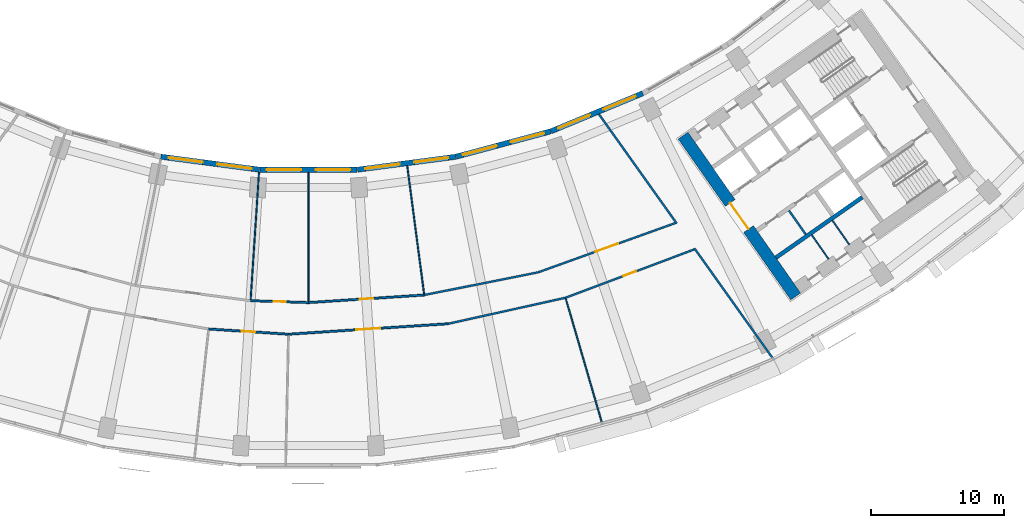
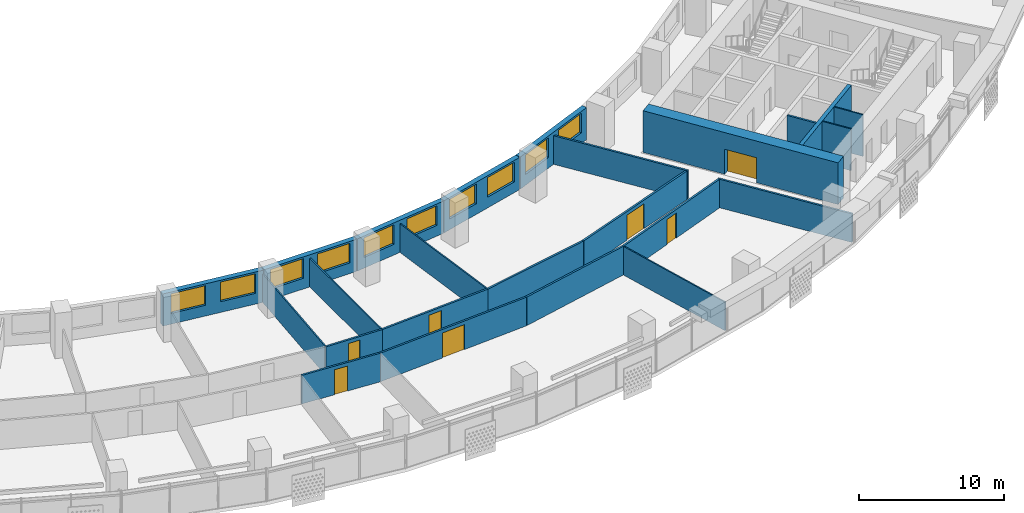
# One storey, part 6 of 29: 24 walls, 10 windows, 7 doors, 17 openings.
"""IFC4 building model written with IfcOpenShell, lengths in metres."""

from ifc_helpers import new_model, si_unit, direction, frame, frame_2d, origin, place, context, subcontext, project, spatial, rectangle, extrude, material, layer, layer_set, type_object, element, fill, save


model = new_model("IFC4")

# Units and contexts
model_context = context("Model", 3, precision=1e-05, world=origin(), true_north=direction((0.0, 1.0)))
body_context = subcontext(model_context, "Body", "Model", "MODEL_VIEW")
ifc_project = project(units=[si_unit("LENGTHUNIT", "METRE"), si_unit("AREAUNIT", "SQUARE_METRE"), si_unit("VOLUMEUNIT", "CUBIC_METRE"), si_unit("PLANEANGLEUNIT", "RADIAN"), si_unit("MASSUNIT", "GRAM", prefix="KILO")], contexts=[model_context])

# Site, building, storey
site_placement = place(None, origin())
site = spatial("IfcSite", under=ifc_project, at=site_placement, CompositionType="ELEMENT")
building_placement = place(site_placement, origin())
building = spatial("IfcBuilding", under=site, at=building_placement, Name="Qamariyya Broadcast Tower", CompositionType="ELEMENT")
storey_placement = place(building_placement, frame((0.0, 0.0, 121.5)))
storey = spatial("IfcBuildingStorey", under=building, at=storey_placement, Name="L27", CompositionType="ELEMENT", Elevation=121.5)

# Wall, opening, door
ifc_material_1 = material(Name="Concrete C70/85", Category="concrete")
ifc_layer_1 = layer(ifc_material_1, 0.89990234375)
ifc_layer_set_1 = layer_set([ifc_layer_1], Name="Core wall 900 mm Concrete C70/85")
wall_type_1 = type_object("IfcWallType", Name="Core wall 900 mm Concrete C70/85", PredefinedType="SHEAR", material=ifc_layer_set_1)
wall_1_placement = place(storey_placement, frame((36.716796875, -66.3369140625, 0.0), z_axis=(0.0, 0.0, 1.0), x_axis=(-0.573577477574, 0.819151315216, 0.0)))
wall_1 = element("IfcWall", 1, at=wall_1_placement, inside=storey, type_object=wall_type_1, Name="k-E-L27-WA", PredefinedType="SHEAR", context=body_context, shape_type="SweptSolid", body=[
    extrude(rectangle(XDim=14.800048828125, YDim=0.89990234375, at=frame_2d((7.39990234375, 0.0))), origin(), (0.0, 0.0, 1.0), 3.5),
])
opening_1_placement = place(wall_1_placement, frame((6.199951171875, 0.0, 0.0)))
opening_1 = element("IfcOpeningElement", 2, at=opening_1_placement, cuts=wall_1, Name="Opening KD3-E1", PredefinedType="OPENING", context=body_context, shape_type="SweptSolid", body=[
    extrude(rectangle(XDim=2.39990234375, YDim=2.10009765625, at=frame_2d((1.199951171875, 1.050048828125))), frame((0.0, 0.4599609375, 0.0), z_axis=(0.0, -1.0, 0.0), x_axis=(1.0, 0.0, 0.0)), (0.0, 0.0, 1.0), 0.919921875),
])
ifc_material_2 = material(Name="Steel fire-resisting door leaf", Category="steel")
door_type_1 = type_object("IfcDoorType", Name="Lift lobby door KD3", OperationType="DOUBLE_DOOR_SINGLE_SWING", PredefinedType="DOOR", material=ifc_material_2)
door_1_placement = place(opening_1_placement, origin())
door_1 = element("IfcDoor", 3, at=door_1_placement, inside=storey, type_object=door_type_1, Name="k-E-L27-WA-D1", OperationType="DOUBLE_DOOR_SINGLE_SWING", OverallHeight=2.10009765625, OverallWidth=2.39990234375, PredefinedType="DOOR", context=body_context, shape_type="SweptSolid", body=[
    extrude(rectangle(XDim=2.39990234375, YDim=2.10009765625, at=frame_2d((1.199951171875, 1.050048828125))), frame((0.0, 0.02490234375, 0.0), z_axis=(0.0, -1.0, 0.0), x_axis=(1.0, 0.0, 0.0)), (0.0, 0.0, 1.0), 0.050048828125),
])
fill(opening_1, door_1)

ifc_material_3 = material(Name="Gypsum board partition")
ifc_layer_2 = layer(ifc_material_3, 0.14990234375)
ifc_layer_set_2 = layer_set([ifc_layer_2], Name="Corridor partition 150 EI 60")
wall_type_2 = type_object("IfcWallType", Name="Corridor partition 150 EI 60", PredefinedType="PARTITIONING", material=ifc_layer_set_2)
wall_2_placement = place(storey_placement, frame((-1.511474609375, -69.18359375, 0.0), z_axis=(0.0, 0.0, 1.0), x_axis=(-0.997856905736, 0.065433903101, 0.0)))
wall_2 = element("IfcWall", 4, at=wall_2_placement, inside=storey, type_object=wall_type_2, Name="Partition L27-021", PredefinedType="PARTITIONING", context=body_context, shape_type="SweptSolid", body=[
    extrude(rectangle(XDim=6.033203125, YDim=0.14990234375, at=frame_2d((3.0166015625, 0.0))), origin(), (0.0, 0.0, 1.0), 2.39990234375),
])
opening_2_placement = place(wall_2_placement, frame((2.5166015625, 0.0, 0.0)))
opening_2 = element("IfcOpeningElement", 5, at=opening_2_placement, cuts=wall_2, Name="Opening L27-D04", PredefinedType="OPENING", context=body_context, shape_type="SweptSolid", body=[
    extrude(rectangle(XDim=1.0, YDim=2.10009765625, at=frame_2d((0.5, 1.050048828125))), frame((0.0, 0.0849609375, 0.0), z_axis=(0.0, -1.0, 0.0), x_axis=(1.0, 0.0, 0.0)), (0.0, 0.0, 1.0), 0.169921875),
])
ifc_material_4 = material(Name="Timber fire door leaf", Category="wood")
door_type_2 = type_object("IfcDoorType", Name="Fire door 1000 x 2100 FD60", OperationType="NOTDEFINED", PredefinedType="DOOR", material=ifc_material_4)
door_2_placement = place(opening_2_placement, origin())
door_2 = element("IfcDoor", 6, at=door_2_placement, inside=storey, type_object=door_type_2, Name="Door L27-D04", OperationType="SINGLE_SWING_RIGHT", OverallHeight=2.10009765625, OverallWidth=1.0, PredefinedType="DOOR", context=body_context, shape_type="SweptSolid", body=[
    extrude(rectangle(XDim=1.0, YDim=2.10009765625, at=frame_2d((0.5, 1.050048828125))), frame((0.0, 0.02490234375, 0.0), z_axis=(0.0, -1.0, 0.0), x_axis=(1.0, 0.0, 0.0)), (0.0, 0.0, 1.0), 0.050048828125),
])
fill(opening_2, door_2)

wall_3_placement = place(storey_placement, frame((-4.368896484375, -66.656982421875, 0.0), z_axis=(0.0, 0.0, 1.0), x_axis=(0.99946426167, -0.03272903366, 0.0)))
wall_3 = element("IfcWall", 7, at=wall_3_placement, inside=storey, type_object=wall_type_2, Name="Partition L27-022", PredefinedType="PARTITIONING", context=body_context, shape_type="SweptSolid", body=[
    extrude(rectangle(XDim=4.371337890625, YDim=0.14990234375, at=frame_2d((2.185546875, 0.0))), origin(), (0.0, 0.0, 1.0), 2.39990234375),
])
opening_3_placement = place(wall_3_placement, frame((1.735595703125, 0.0, 0.0)))
opening_3 = element("IfcOpeningElement", 8, at=opening_3_placement, cuts=wall_3, Name="Opening L27-D10", PredefinedType="OPENING", context=body_context, shape_type="SweptSolid", body=[
    extrude(rectangle(XDim=0.89990234375, YDim=2.10009765625, at=frame_2d((0.449951171875, 1.050048828125))), frame((0.0, 0.0849609375, 0.0), z_axis=(0.0, -1.0, 0.0), x_axis=(1.0, 0.0, 0.0)), (0.0, 0.0, 1.0), 0.169921875),
])
door_type_3 = type_object("IfcDoorType", Name="Fire door 900 x 2100 FD60", OperationType="NOTDEFINED", PredefinedType="DOOR", material=ifc_material_4)
door_3_placement = place(opening_3_placement, origin())
door_3 = element("IfcDoor", 9, at=door_3_placement, inside=storey, type_object=door_type_3, Name="Door L27-D10", OperationType="SINGLE_SWING_RIGHT", OverallHeight=2.10009765625, OverallWidth=0.89990234375, PredefinedType="DOOR", context=body_context, shape_type="SweptSolid", body=[
    extrude(rectangle(XDim=0.89990234375, YDim=2.10009765625, at=frame_2d((0.449951171875, 1.050048828125))), frame((0.0, 0.02490234375, 0.0), z_axis=(0.0, -1.0, 0.0), x_axis=(1.0, 0.0, 0.0)), (0.0, 0.0, 1.0), 0.050048828125),
])
fill(opening_3, door_3)

wall_4_placement = place(storey_placement, frame((10.52001953125, -68.394775390625, 0.0), z_axis=(0.0, 0.0, 1.0), x_axis=(-0.997857664211, -0.065422335445, 0.0)))
wall_4 = element("IfcWall", 10, at=wall_4_placement, inside=storey, type_object=wall_type_2, Name="Partition L27-025", PredefinedType="PARTITIONING", context=body_context, shape_type="SweptSolid", body=[
    extrude(rectangle(XDim=12.057373046875, YDim=0.14990234375, at=frame_2d((6.02880859375, 0.0))), origin(), (0.0, 0.0, 1.0), 2.39990234375),
])
opening_4_placement = place(wall_4_placement, frame((5.128662109375, 0.0, 0.0)))
opening_4 = element("IfcOpeningElement", 11, at=opening_4_placement, cuts=wall_4, Name="Opening L27-D05", PredefinedType="OPENING", context=body_context, shape_type="SweptSolid", body=[
    extrude(rectangle(XDim=1.800048828125, YDim=2.10009765625, at=frame_2d((0.89990234375, 1.050048828125))), frame((0.0, 0.0849609375, 0.0), z_axis=(0.0, -1.0, 0.0), x_axis=(1.0, 0.0, 0.0)), (0.0, 0.0, 1.0), 0.169921875),
])
door_type_4 = type_object("IfcDoorType", Name="Double fire door 1800 x 2100 FD60", OperationType="NOTDEFINED", PredefinedType="DOOR", material=ifc_material_4)
door_4_placement = place(opening_4_placement, origin())
door_4 = element("IfcDoor", 12, at=door_4_placement, inside=storey, type_object=door_type_4, Name="Door L27-D05", OperationType="DOUBLE_DOOR_SINGLE_SWING", OverallHeight=2.10009765625, OverallWidth=1.800048828125, PredefinedType="DOOR", context=body_context, shape_type="SweptSolid", body=[
    extrude(rectangle(XDim=1.800048828125, YDim=2.10009765625, at=frame_2d((0.89990234375, 1.050048828125))), frame((0.0, 0.02490234375, 0.0), z_axis=(0.0, -1.0, 0.0), x_axis=(1.0, 0.0, 0.0)), (0.0, 0.0, 1.0), 0.050048828125),
])
fill(opening_4, door_4)

wall_5_placement = place(storey_placement, frame((0.0, -66.800048828125, 0.0), z_axis=(0.0, 0.0, 1.0), x_axis=(0.997858593599, 0.065408158359, 0.0)))
wall_5 = element("IfcWall", 13, at=wall_5_placement, inside=storey, type_object=wall_type_2, Name="Partition L27-026", PredefinedType="PARTITIONING", context=body_context, shape_type="SweptSolid", body=[
    extrude(rectangle(XDim=8.738037109375, YDim=0.14990234375, at=frame_2d((4.369140625, 0.0))), origin(), (0.0, 0.0, 1.0), 2.39990234375),
])
opening_5_placement = place(wall_5_placement, frame((3.868896484375, 0.0, 0.0)))
opening_5 = element("IfcOpeningElement", 14, at=opening_5_placement, cuts=wall_5, Name="Opening L27-D11", PredefinedType="OPENING", context=body_context, shape_type="SweptSolid", body=[
    extrude(rectangle(XDim=1.0, YDim=2.10009765625, at=frame_2d((0.5, 1.050048828125))), frame((0.0, 0.0849609375, 0.0), z_axis=(0.0, -1.0, 0.0), x_axis=(1.0, 0.0, 0.0)), (0.0, 0.0, 1.0), 0.169921875),
])
door_5_placement = place(opening_5_placement, origin())
door_5 = element("IfcDoor", 15, at=door_5_placement, inside=storey, type_object=door_type_2, Name="Door L27-D11", OperationType="SINGLE_SWING_RIGHT", OverallHeight=2.10009765625, OverallWidth=1.0, PredefinedType="DOOR", context=body_context, shape_type="SweptSolid", body=[
    extrude(rectangle(XDim=1.0, YDim=2.10009765625, at=frame_2d((0.5, 1.050048828125))), frame((0.0, 0.02490234375, 0.0), z_axis=(0.0, -1.0, 0.0), x_axis=(1.0, 0.0, 0.0)), (0.0, 0.0, 1.0), 0.050048828125),
])
fill(opening_5, door_5)

# Walls
wall_6_placement = place(storey_placement, frame((8.71923828125, -66.228515625, 0.0), z_axis=(0.0, 0.0, 1.0), x_axis=(0.980787736115, 0.195077975915, 0.0)))
element("IfcWall", 16, at=wall_6_placement, inside=storey, type_object=wall_type_2, Name="Partition L27-029", PredefinedType="PARTITIONING", context=body_context, shape_type="SweptSolid", body=[
    extrude(rectangle(XDim=8.729248046875, YDim=0.14990234375, at=frame_2d((4.36474609375, 0.0))), origin(), (0.0, 0.0, 1.0), 2.39990234375),
])
wall_7_placement = place(storey_placement, frame((10.537353515625, -68.392333984375, 0.0), z_axis=(0.0, 0.0, 1.0), x_axis=(0.97628985912, 0.216467343909, 0.0)))
element("IfcWall", 17, at=wall_7_placement, inside=storey, type_object=wall_type_2, Name="Partition L27-030", PredefinedType="PARTITIONING", context=body_context, shape_type="SweptSolid", body=[
    extrude(rectangle(XDim=9.04296875, YDim=0.14990234375, at=frame_2d((4.521484375, 0.0))), origin(), (0.0, 0.0, 1.0), 2.39990234375),
])

# Wall, opening, door
wall_8_placement = place(storey_placement, frame((17.297119140625, -64.52099609375, 0.0), z_axis=(0.0, 0.0, 1.0), x_axis=(0.941151914592, 0.337983836389, 0.0)))
wall_8 = element("IfcWall", 18, at=wall_8_placement, inside=storey, type_object=wall_type_2, Name="Partition L27-031", PredefinedType="PARTITIONING", context=body_context, shape_type="SweptSolid", body=[
    extrude(rectangle(XDim=10.98974609375, YDim=0.14990234375, at=frame_2d((5.494873046875, 0.0))), origin(), (0.0, 0.0, 1.0), 2.39990234375),
])
opening_6_placement = place(wall_8_placement, frame((4.5947265625, 0.0, 0.0)))
opening_6 = element("IfcOpeningElement", 19, at=opening_6_placement, cuts=wall_8, Name="Opening L27-D12", PredefinedType="OPENING", context=body_context, shape_type="SweptSolid", body=[
    extrude(rectangle(XDim=1.800048828125, YDim=2.10009765625, at=frame_2d((0.89990234375, 1.050048828125))), frame((0.0, 0.0849609375, 0.0), z_axis=(0.0, -1.0, 0.0), x_axis=(1.0, 0.0, 0.0)), (0.0, 0.0, 1.0), 0.169921875),
])
door_6_placement = place(opening_6_placement, origin())
door_6 = element("IfcDoor", 20, at=door_6_placement, inside=storey, type_object=door_type_4, Name="Door L27-D12", OperationType="DOUBLE_DOOR_SINGLE_SWING", OverallHeight=2.10009765625, OverallWidth=1.800048828125, PredefinedType="DOOR", context=body_context, shape_type="SweptSolid", body=[
    extrude(rectangle(XDim=1.800048828125, YDim=2.10009765625, at=frame_2d((0.89990234375, 1.050048828125))), frame((0.0, 0.02490234375, 0.0), z_axis=(0.0, -1.0, 0.0), x_axis=(1.0, 0.0, 0.0)), (0.0, 0.0, 1.0), 0.050048828125),
])
fill(opening_6, door_6)

wall_9_placement = place(storey_placement, frame((29.057373046875, -62.797607421875, 0.0), z_axis=(0.0, 0.0, 1.0), x_axis=(-0.936236096431, -0.351371557956, 0.0)))
wall_9 = element("IfcWall", 21, at=wall_9_placement, inside=storey, type_object=wall_type_2, Name="Partition L27-032", PredefinedType="PARTITIONING", context=body_context, shape_type="SweptSolid", body=[
    extrude(rectangle(XDim=10.3515625, YDim=0.14990234375, at=frame_2d((5.17578125, 0.0))), origin(), (0.0, 0.0, 1.0), 2.39990234375),
])
opening_7_placement = place(wall_9_placement, frame((4.67578125, 0.0, 0.0)))
opening_7 = element("IfcOpeningElement", 22, at=opening_7_placement, cuts=wall_9, Name="Opening L27-D06", PredefinedType="OPENING", context=body_context, shape_type="SweptSolid", body=[
    extrude(rectangle(XDim=1.0, YDim=2.10009765625, at=frame_2d((0.5, 1.050048828125))), frame((0.0, 0.0849609375, 0.0), z_axis=(0.0, -1.0, 0.0), x_axis=(1.0, 0.0, 0.0)), (0.0, 0.0, 1.0), 0.169921875),
])
door_7_placement = place(opening_7_placement, origin())
door_7 = element("IfcDoor", 23, at=door_7_placement, inside=storey, type_object=door_type_2, Name="Door L27-D06", OperationType="SINGLE_SWING_RIGHT", OverallHeight=2.10009765625, OverallWidth=1.0, PredefinedType="DOOR", context=body_context, shape_type="SweptSolid", body=[
    extrude(rectangle(XDim=1.0, YDim=2.10009765625, at=frame_2d((0.5, 1.050048828125))), frame((0.0, 0.02490234375, 0.0), z_axis=(0.0, -1.0, 0.0), x_axis=(1.0, 0.0, 0.0)), (0.0, 0.0, 1.0), 0.050048828125),
])
fill(opening_7, door_7)

# Walls
wall_10_placement = place(storey_placement, frame((21.8837890625, -52.59765625, 0.0), z_axis=(0.0, 0.0, 1.0), x_axis=(0.580016763963, -0.814604538118, 0.0)))
element("IfcWall", 24, at=wall_10_placement, inside=storey, type_object=wall_type_2, Name="Partition L27-033", PredefinedType="PARTITIONING", context=body_context, shape_type="SweptSolid", body=[
    extrude(rectangle(XDim=10.12109375, YDim=0.14990234375, at=frame_2d((5.060546875, 0.0))), origin(), (0.0, 0.0, 1.0), 2.39990234375),
])
wall_11_placement = place(storey_placement, frame((29.083984375, -62.710205078125, 0.0), z_axis=(0.0, 0.0, 1.0), x_axis=(0.580031092611, -0.814594335608, 0.0)))
element("IfcWall", 25, at=wall_11_placement, inside=storey, type_object=wall_type_2, Name="Partition L27-035", PredefinedType="PARTITIONING", context=body_context, shape_type="SweptSolid", body=[
    extrude(rectangle(XDim=10.126220703125, YDim=0.14990234375, at=frame_2d((5.06298828125, 0.0))), origin(), (0.0, 0.0, 1.0), 2.39990234375),
])
ifc_material_5 = material(Name="Gypsum board partition on steel studs", Category="steel")
ifc_layer_3 = layer(ifc_material_5, 0.14990234375)
ifc_layer_set_3 = layer_set([ifc_layer_3], Name="Gypsum board partition 150 mm")
wall_type_3 = type_object("IfcWallType", Name="Gypsum board partition 150 mm", PredefinedType="PARTITIONING", material=ifc_layer_set_3)
wall_12_placement = place(storey_placement, frame((36.2080078125, -59.85693359375, 0.0), z_axis=(0.0, 0.0, 1.0), x_axis=(0.573581496053, -0.819148501424, 0.0)))
element("IfcWall", 26, at=wall_12_placement, inside=storey, type_object=wall_type_3, Name="k-E-L27-SC285", PredefinedType="PARTITIONING", context=body_context, shape_type="SweptSolid", body=[
    extrude(rectangle(XDim=2.2001953125, YDim=0.14990234375, at=frame_2d((1.10009765625, 0.0))), origin(), (0.0, 0.0, 1.0), 3.5),
])
ifc_material_6 = material(Name="Concrete C60/75", Category="concrete")
ifc_layer_4 = layer(ifc_material_6, 0.300048828125)
ifc_layer_set_4 = layer_set([ifc_layer_4], Name="Lift shaft wall 300 mm Concrete C60/75")
wall_type_4 = type_object("IfcWallType", Name="Lift shaft wall 300 mm Concrete C60/75", PredefinedType="SOLIDWALL", material=ifc_layer_set_4)
wall_13_placement = place(storey_placement, frame((35.22119140625, -63.41650390625, 0.0), z_axis=(0.0, 0.0, 1.0), x_axis=(0.819166993208, 0.573555086491, 0.0)))
element("IfcWall", 27, at=wall_13_placement, inside=storey, type_object=wall_type_4, Name="k-E-L27-SB0", PredefinedType="SOLIDWALL", context=body_context, shape_type="SweptSolid", body=[
    extrude(rectangle(XDim=7.9501953125, YDim=0.300048828125, at=frame_2d((3.97509765625, 0.0))), origin(), (0.0, 0.0, 1.0), 3.5),
])
ifc_layer_5 = layer(ifc_material_3, 0.10009765625)
ifc_layer_set_5 = layer_set([ifc_layer_5], Name="Partition 100")
wall_type_5 = type_object("IfcWallType", Name="Partition 100", PredefinedType="PARTITIONING", material=ifc_layer_set_5)
wall_14_placement = place(storey_placement, frame((-3.734619140625, -56.977783203125, 0.0), z_axis=(0.0, 0.0, 1.0), x_axis=(-0.065392665599, -0.997859609006, 0.0)))
element("IfcWall", 28, at=wall_14_placement, inside=storey, type_object=wall_type_5, Name="Partition L27-023", PredefinedType="PARTITIONING", context=body_context, shape_type="SweptSolid", body=[
    extrude(rectangle(XDim=9.624755859375, YDim=0.10009765625, at=frame_2d((4.8125, 0.0))), origin(), (0.0, 0.0, 1.0), 2.39990234375),
])
wall_15_placement = place(storey_placement, frame((0.0, -56.978515625, 0.0), z_axis=(0.0, 0.0, 1.0), x_axis=(0.0, -1.0, 0.0)))
element("IfcWall", 29, at=wall_15_placement, inside=storey, type_object=wall_type_5, Name="Partition L27-027", PredefinedType="PARTITIONING", context=body_context, shape_type="SweptSolid", body=[
    extrude(rectangle(XDim=9.74658203125, YDim=0.10009765625, at=frame_2d((4.873291015625, 0.0))), origin(), (0.0, 0.0, 1.0), 2.39990234375),
])
wall_16_placement = place(storey_placement, frame((7.437255859375, -56.4912109375, 0.0), z_axis=(0.0, 0.0, 1.0), x_axis=(0.13053421433, -0.99144380521, 0.0)))
element("IfcWall", 30, at=wall_16_placement, inside=storey, type_object=wall_type_5, Name="Partition L27-028", PredefinedType="PARTITIONING", context=body_context, shape_type="SweptSolid", body=[
    extrude(rectangle(XDim=9.746337890625, YDim=0.10009765625, at=frame_2d((4.873046875, 0.0))), origin(), (0.0, 0.0, 1.0), 2.39990234375),
])
wall_17_placement = place(storey_placement, frame((22.09423828125, -75.79443359375, 0.0), z_axis=(0.0, 0.0, 1.0), x_axis=(-0.279846881911, 0.960044646194, 0.0)))
element("IfcWall", 31, at=wall_17_placement, inside=storey, type_object=wall_type_5, Name="Partition L27-034", PredefinedType="PARTITIONING", context=body_context, shape_type="SweptSolid", body=[
    extrude(rectangle(XDim=9.674072265625, YDim=0.10009765625, at=frame_2d((4.8369140625, 0.0))), origin(), (0.0, 0.0, 1.0), 2.39990234375),
])
ifc_material_7 = material(Name="Fire-rated gypsum shaft liner on steel studs", Category="steel")
ifc_layer_6 = layer(ifc_material_7, 0.10009765625)
ifc_layer_set_6 = layer_set([ifc_layer_6], Name="Riser wall 100 mm")
wall_type_6 = type_object("IfcWallType", Name="Riser wall 100 mm", PredefinedType="PLUMBINGWALL", material=ifc_layer_set_6)
wall_18_placement = place(storey_placement, frame((37.9287109375, -61.7041015625, 0.0), z_axis=(0.0, 0.0, 1.0), x_axis=(0.573559170999, -0.819164133348, 0.0)))
element("IfcWall", 32, at=wall_18_placement, inside=storey, type_object=wall_type_6, Name="k-E-L27-SP320", PredefinedType="PLUMBINGWALL", context=body_context, shape_type="SweptSolid", body=[
    extrude(rectangle(XDim=2.19970703125, YDim=0.10009765625, at=frame_2d((1.099853515625, 0.0))), origin(), (0.0, 0.0, 1.0), 3.5),
])
wall_19_placement = place(storey_placement, frame((39.485107421875, -60.6142578125, 0.0), z_axis=(0.0, 0.0, 1.0), x_axis=(0.573507030513, -0.819200638399, 0.0)))
element("IfcWall", 33, at=wall_19_placement, inside=storey, type_object=wall_type_6, Name="k-E-L27-SP510", PredefinedType="PLUMBINGWALL", context=body_context, shape_type="SweptSolid", body=[
    extrude(rectangle(XDim=2.199951171875, YDim=0.10009765625, at=frame_2d((1.10009765625, 0.0))), origin(), (0.0, 0.0, 1.0), 3.5),
])

# Wall, openings, windows
ifc_material_8 = material(Name="Terracotta", Category="masonry")
ifc_layer_7 = layer(ifc_material_8, 0.39990234375)
ifc_layer_set_7 = layer_set([ifc_layer_7], Name="Terracotta clad wall 400")
wall_type_7 = type_object("IfcWallType", Name="Terracotta clad wall 400", PredefinedType="SOLIDWALL", material=ifc_layer_set_7)
wall_20_placement = place(storey_placement, frame((11.12548828125, -55.803955078125, 0.0), z_axis=(0.0, 0.0, 1.0), x_axis=(-0.991444533306, -0.130528684121, 0.0)))
wall_20 = element("IfcWall", 34, at=wall_20_placement, inside=storey, type_object=wall_type_7, Name="e-wl-L27-in100", PredefinedType="SOLIDWALL", context=body_context, shape_type="SweptSolid", body=[
    extrude(rectangle(XDim=7.492919921875, YDim=0.39990234375, at=frame_2d((3.74658203125, 0.0))), origin(), (0.0, 0.0, 1.0), 2.699951171875),
])
opening_8_placement = place(wall_20_placement, frame((4.300537109375, 0.0, 0.89990234375)))
opening_8 = element("IfcOpeningElement", 35, at=opening_8_placement, cuts=wall_20, Name="Opening W1", PredefinedType="OPENING", context=body_context, shape_type="SweptSolid", body=[
    extrude(rectangle(XDim=2.60009765625, YDim=1.64990234375, at=frame_2d((1.300048828125, 0.824951171875))), frame((0.0, 0.2099609375, 0.0), z_axis=(0.0, -1.0, 0.0), x_axis=(1.0, 0.0, 0.0)), (0.0, 0.0, 1.0), 0.419921875),
])
opening_9_placement = place(wall_20_placement, frame((0.59228515625, 0.0, 0.89990234375)))
opening_9 = element("IfcOpeningElement", 36, at=opening_9_placement, cuts=wall_20, Name="Opening W1", PredefinedType="OPENING", context=body_context, shape_type="SweptSolid", body=[
    extrude(rectangle(XDim=2.60009765625, YDim=1.64990234375, at=frame_2d((1.300048828125, 0.824951171875))), frame((0.0, 0.2099609375, 0.0), z_axis=(0.0, -1.0, 0.0), x_axis=(1.0, 0.0, 0.0)), (0.0, 0.0, 1.0), 0.419921875),
])
ifc_material_9 = material(Name="Clear low-e double glazed unit in aluminium frame", Category="aluminium")
window_type = type_object("IfcWindowType", Name="Ribbon window 2600 x 1650", PartitioningType="SINGLE_PANEL", PredefinedType="WINDOW", material=ifc_material_9)
window_1_placement = place(opening_8_placement, origin())
window_1 = element("IfcWindow", 37, at=window_1_placement, inside=storey, type_object=window_type, Name="e-w-L27-in10-0", OverallHeight=1.64990234375, OverallWidth=2.60009765625, PartitioningType="SINGLE_PANEL", PredefinedType="WINDOW", context=body_context, shape_type="SweptSolid", body=[
    extrude(rectangle(XDim=2.60009765625, YDim=1.64990234375, at=frame_2d((1.300048828125, 0.824951171875))), frame((0.0, 0.030029296875, 0.0), z_axis=(0.0, -1.0, 0.0), x_axis=(1.0, 0.0, 0.0)), (0.0, 0.0, 1.0), 0.06005859375),
])
fill(opening_8, window_1)
window_2_placement = place(opening_9_placement, origin())
window_2 = element("IfcWindow", 38, at=window_2_placement, inside=storey, type_object=window_type, Name="e-w-L27-in10-1", OverallHeight=1.64990234375, OverallWidth=2.60009765625, PartitioningType="SINGLE_PANEL", PredefinedType="WINDOW", context=body_context, shape_type="SweptSolid", body=[
    extrude(rectangle(XDim=2.60009765625, YDim=1.64990234375, at=frame_2d((1.300048828125, 0.824951171875))), frame((0.0, 0.030029296875, 0.0), z_axis=(0.0, -1.0, 0.0), x_axis=(1.0, 0.0, 0.0)), (0.0, 0.0, 1.0), 0.06005859375),
])
fill(opening_9, window_2)

wall_21_placement = place(storey_placement, frame((18.240966796875, -53.893798828125, 0.0), z_axis=(0.0, 0.0, 1.0), x_axis=(-0.965924597867, -0.258823629594, 0.0)))
wall_21 = element("IfcWall", 39, at=wall_21_placement, inside=storey, type_object=wall_type_7, Name="e-wl-L27-in110", PredefinedType="SOLIDWALL", context=body_context, shape_type="SweptSolid", body=[
    extrude(rectangle(XDim=7.341552734375, YDim=0.39990234375, at=frame_2d((3.6708984375, 0.0))), origin(), (0.0, 0.0, 1.0), 2.699951171875),
])
opening_10_placement = place(wall_21_placement, frame((4.224853515625, 0.0, 0.89990234375)))
opening_10 = element("IfcOpeningElement", 40, at=opening_10_placement, cuts=wall_21, Name="Opening W1", PredefinedType="OPENING", context=body_context, shape_type="SweptSolid", body=[
    extrude(rectangle(XDim=2.60009765625, YDim=1.64990234375, at=frame_2d((1.300048828125, 0.824951171875))), frame((0.0, 0.2099609375, 0.0), z_axis=(0.0, -1.0, 0.0), x_axis=(1.0, 0.0, 0.0)), (0.0, 0.0, 1.0), 0.419921875),
])
opening_11_placement = place(wall_21_placement, frame((0.5166015625, 0.0, 0.89990234375)))
opening_11 = element("IfcOpeningElement", 41, at=opening_11_placement, cuts=wall_21, Name="Opening W1", PredefinedType="OPENING", context=body_context, shape_type="SweptSolid", body=[
    extrude(rectangle(XDim=2.60009765625, YDim=1.64990234375, at=frame_2d((1.300048828125, 0.824951171875))), frame((0.0, 0.2099609375, 0.0), z_axis=(0.0, -1.0, 0.0), x_axis=(1.0, 0.0, 0.0)), (0.0, 0.0, 1.0), 0.419921875),
])
window_3_placement = place(opening_10_placement, origin())
window_3 = element("IfcWindow", 42, at=window_3_placement, inside=storey, type_object=window_type, Name="e-w-L27-in11-0", OverallHeight=1.64990234375, OverallWidth=2.60009765625, PartitioningType="SINGLE_PANEL", PredefinedType="WINDOW", context=body_context, shape_type="SweptSolid", body=[
    extrude(rectangle(XDim=2.60009765625, YDim=1.64990234375, at=frame_2d((1.300048828125, 0.824951171875))), frame((0.0, 0.030029296875, 0.0), z_axis=(0.0, -1.0, 0.0), x_axis=(1.0, 0.0, 0.0)), (0.0, 0.0, 1.0), 0.06005859375),
])
fill(opening_10, window_3)
window_4_placement = place(opening_11_placement, origin())
window_4 = element("IfcWindow", 43, at=window_4_placement, inside=storey, type_object=window_type, Name="e-w-L27-in11-1", OverallHeight=1.64990234375, OverallWidth=2.60009765625, PartitioningType="SINGLE_PANEL", PredefinedType="WINDOW", context=body_context, shape_type="SweptSolid", body=[
    extrude(rectangle(XDim=2.60009765625, YDim=1.64990234375, at=frame_2d((1.300048828125, 0.824951171875))), frame((0.0, 0.030029296875, 0.0), z_axis=(0.0, -1.0, 0.0), x_axis=(1.0, 0.0, 0.0)), (0.0, 0.0, 1.0), 0.06005859375),
])
fill(opening_11, window_4)

wall_22_placement = place(storey_placement, frame((25.189453125, -51.02294921875, 0.0), z_axis=(0.0, 0.0, 1.0), x_axis=(-0.923879826967, -0.382682721486, 0.0)))
wall_22 = element("IfcWall", 44, at=wall_22_placement, inside=storey, type_object=wall_type_7, Name="e-wl-L27-in120", PredefinedType="SOLIDWALL", context=body_context, shape_type="SweptSolid", body=[
    extrude(rectangle(XDim=7.492919921875, YDim=0.39990234375, at=frame_2d((3.74658203125, 0.0))), origin(), (0.0, 0.0, 1.0), 2.699951171875),
])
opening_12_placement = place(wall_22_placement, frame((4.300537109375, 0.0, 0.89990234375)))
opening_12 = element("IfcOpeningElement", 45, at=opening_12_placement, cuts=wall_22, Name="Opening W1", PredefinedType="OPENING", context=body_context, shape_type="SweptSolid", body=[
    extrude(rectangle(XDim=2.60009765625, YDim=1.64990234375, at=frame_2d((1.300048828125, 0.824951171875))), frame((0.0, 0.2099609375, 0.0), z_axis=(0.0, -1.0, 0.0), x_axis=(1.0, 0.0, 0.0)), (0.0, 0.0, 1.0), 0.419921875),
])
opening_13_placement = place(wall_22_placement, frame((0.59228515625, 0.0, 0.89990234375)))
opening_13 = element("IfcOpeningElement", 46, at=opening_13_placement, cuts=wall_22, Name="Opening W1", PredefinedType="OPENING", context=body_context, shape_type="SweptSolid", body=[
    extrude(rectangle(XDim=2.60009765625, YDim=1.64990234375, at=frame_2d((1.300048828125, 0.824951171875))), frame((0.0, 0.2099609375, 0.0), z_axis=(0.0, -1.0, 0.0), x_axis=(1.0, 0.0, 0.0)), (0.0, 0.0, 1.0), 0.419921875),
])
window_5_placement = place(opening_12_placement, origin())
window_5 = element("IfcWindow", 47, at=window_5_placement, inside=storey, type_object=window_type, Name="e-w-L27-in12-0", OverallHeight=1.64990234375, OverallWidth=2.60009765625, PartitioningType="SINGLE_PANEL", PredefinedType="WINDOW", context=body_context, shape_type="SweptSolid", body=[
    extrude(rectangle(XDim=2.60009765625, YDim=1.64990234375, at=frame_2d((1.300048828125, 0.824951171875))), frame((0.0, 0.030029296875, 0.0), z_axis=(0.0, -1.0, 0.0), x_axis=(1.0, 0.0, 0.0)), (0.0, 0.0, 1.0), 0.06005859375),
])
fill(opening_12, window_5)
window_6_placement = place(opening_13_placement, origin())
window_6 = element("IfcWindow", 48, at=window_6_placement, inside=storey, type_object=window_type, Name="e-w-L27-in12-1", OverallHeight=1.64990234375, OverallWidth=2.60009765625, PartitioningType="SINGLE_PANEL", PredefinedType="WINDOW", context=body_context, shape_type="SweptSolid", body=[
    extrude(rectangle(XDim=2.60009765625, YDim=1.64990234375, at=frame_2d((1.300048828125, 0.824951171875))), frame((0.0, 0.030029296875, 0.0), z_axis=(0.0, -1.0, 0.0), x_axis=(1.0, 0.0, 0.0)), (0.0, 0.0, 1.0), 0.06005859375),
])
fill(opening_13, window_6)

wall_23_placement = place(storey_placement, frame((-3.69677734375, -56.781982421875, 0.0), z_axis=(0.0, 0.0, 1.0), x_axis=(-0.991444533306, 0.130528684121, 0.0)))
wall_23 = element("IfcWall", 49, at=wall_23_placement, inside=storey, type_object=wall_type_7, Name="e-wl-L27-in80", PredefinedType="SOLIDWALL", context=body_context, shape_type="SweptSolid", body=[
    extrude(rectangle(XDim=7.492919921875, YDim=0.39990234375, at=frame_2d((3.74658203125, 0.0))), origin(), (0.0, 0.0, 1.0), 2.699951171875),
])
opening_14_placement = place(wall_23_placement, frame((4.300537109375, 0.0, 0.89990234375)))
opening_14 = element("IfcOpeningElement", 50, at=opening_14_placement, cuts=wall_23, Name="Opening W1", PredefinedType="OPENING", context=body_context, shape_type="SweptSolid", body=[
    extrude(rectangle(XDim=2.60009765625, YDim=1.64990234375, at=frame_2d((1.300048828125, 0.824951171875))), frame((0.0, 0.2099609375, 0.0), z_axis=(0.0, -1.0, 0.0), x_axis=(1.0, 0.0, 0.0)), (0.0, 0.0, 1.0), 0.419921875),
])
opening_15_placement = place(wall_23_placement, frame((0.59228515625, 0.0, 0.89990234375)))
opening_15 = element("IfcOpeningElement", 51, at=opening_15_placement, cuts=wall_23, Name="Opening W1", PredefinedType="OPENING", context=body_context, shape_type="SweptSolid", body=[
    extrude(rectangle(XDim=2.60009765625, YDim=1.64990234375, at=frame_2d((1.300048828125, 0.824951171875))), frame((0.0, 0.2099609375, 0.0), z_axis=(0.0, -1.0, 0.0), x_axis=(1.0, 0.0, 0.0)), (0.0, 0.0, 1.0), 0.419921875),
])
window_7_placement = place(opening_14_placement, origin())
window_7 = element("IfcWindow", 52, at=window_7_placement, inside=storey, type_object=window_type, Name="e-w-L27-in08-0", OverallHeight=1.64990234375, OverallWidth=2.60009765625, PartitioningType="SINGLE_PANEL", PredefinedType="WINDOW", context=body_context, shape_type="SweptSolid", body=[
    extrude(rectangle(XDim=2.60009765625, YDim=1.64990234375, at=frame_2d((1.300048828125, 0.824951171875))), frame((0.0, 0.030029296875, 0.0), z_axis=(0.0, -1.0, 0.0), x_axis=(1.0, 0.0, 0.0)), (0.0, 0.0, 1.0), 0.06005859375),
])
fill(opening_14, window_7)
window_8_placement = place(opening_15_placement, origin())
window_8 = element("IfcWindow", 53, at=window_8_placement, inside=storey, type_object=window_type, Name="e-w-L27-in08-1", OverallHeight=1.64990234375, OverallWidth=2.60009765625, PartitioningType="SINGLE_PANEL", PredefinedType="WINDOW", context=body_context, shape_type="SweptSolid", body=[
    extrude(rectangle(XDim=2.60009765625, YDim=1.64990234375, at=frame_2d((1.300048828125, 0.824951171875))), frame((0.0, 0.030029296875, 0.0), z_axis=(0.0, -1.0, 0.0), x_axis=(1.0, 0.0, 0.0)), (0.0, 0.0, 1.0), 0.06005859375),
])
fill(opening_15, window_8)

wall_24_placement = place(storey_placement, frame((3.670654296875, -56.778564453125, 0.0), z_axis=(0.0, 0.0, 1.0), x_axis=(-1.0, 0.0, 0.0)))
wall_24 = element("IfcWall", 54, at=wall_24_placement, inside=storey, type_object=wall_type_7, Name="e-wl-L27-in90", PredefinedType="SOLIDWALL", context=body_context, shape_type="SweptSolid", body=[
    extrude(rectangle(XDim=7.34130859375, YDim=0.39990234375, at=frame_2d((3.670654296875, 0.0))), origin(), (0.0, 0.0, 1.0), 2.699951171875),
])
opening_16_placement = place(wall_24_placement, frame((4.224853515625, 0.0, 0.89990234375)))
opening_16 = element("IfcOpeningElement", 55, at=opening_16_placement, cuts=wall_24, Name="Opening W1", PredefinedType="OPENING", context=body_context, shape_type="SweptSolid", body=[
    extrude(rectangle(XDim=2.60009765625, YDim=1.64990234375, at=frame_2d((1.300048828125, 0.824951171875))), frame((0.0, 0.2099609375, 0.0), z_axis=(0.0, -1.0, 0.0), x_axis=(1.0, 0.0, 0.0)), (0.0, 0.0, 1.0), 0.419921875),
])
opening_17_placement = place(wall_24_placement, frame((0.5166015625, 0.0, 0.89990234375)))
opening_17 = element("IfcOpeningElement", 56, at=opening_17_placement, cuts=wall_24, Name="Opening W1", PredefinedType="OPENING", context=body_context, shape_type="SweptSolid", body=[
    extrude(rectangle(XDim=2.60009765625, YDim=1.64990234375, at=frame_2d((1.300048828125, 0.824951171875))), frame((0.0, 0.2099609375, 0.0), z_axis=(0.0, -1.0, 0.0), x_axis=(1.0, 0.0, 0.0)), (0.0, 0.0, 1.0), 0.419921875),
])
window_9_placement = place(opening_16_placement, origin())
window_9 = element("IfcWindow", 57, at=window_9_placement, inside=storey, type_object=window_type, Name="e-w-L27-in09-0", OverallHeight=1.64990234375, OverallWidth=2.60009765625, PartitioningType="SINGLE_PANEL", PredefinedType="WINDOW", context=body_context, shape_type="SweptSolid", body=[
    extrude(rectangle(XDim=2.60009765625, YDim=1.64990234375, at=frame_2d((1.300048828125, 0.824951171875))), frame((0.0, 0.030029296875, 0.0), z_axis=(0.0, -1.0, 0.0), x_axis=(1.0, 0.0, 0.0)), (0.0, 0.0, 1.0), 0.06005859375),
])
fill(opening_16, window_9)
window_10_placement = place(opening_17_placement, origin())
window_10 = element("IfcWindow", 58, at=window_10_placement, inside=storey, type_object=window_type, Name="e-w-L27-in09-1", OverallHeight=1.64990234375, OverallWidth=2.60009765625, PartitioningType="SINGLE_PANEL", PredefinedType="WINDOW", context=body_context, shape_type="SweptSolid", body=[
    extrude(rectangle(XDim=2.60009765625, YDim=1.64990234375, at=frame_2d((1.300048828125, 0.824951171875))), frame((0.0, 0.030029296875, 0.0), z_axis=(0.0, -1.0, 0.0), x_axis=(1.0, 0.0, 0.0)), (0.0, 0.0, 1.0), 0.06005859375),
])
fill(opening_17, window_10)

save(model, "model.ifc")
